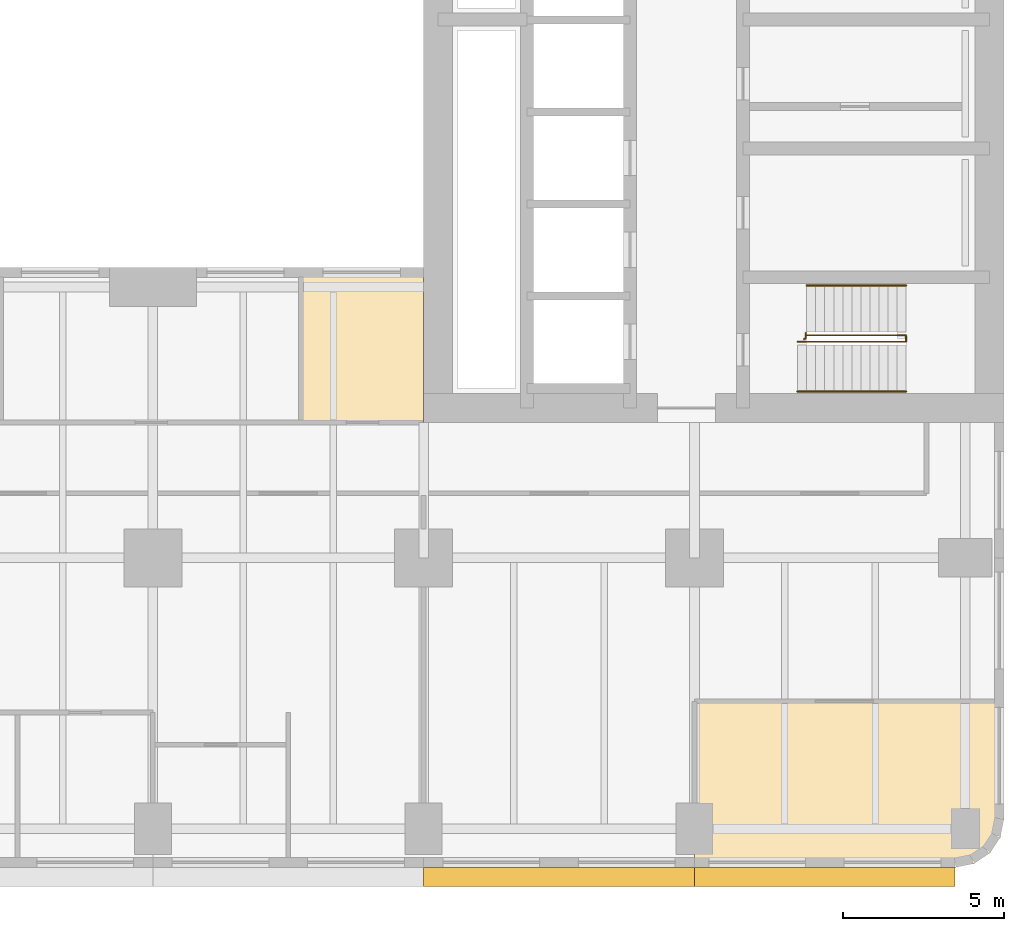
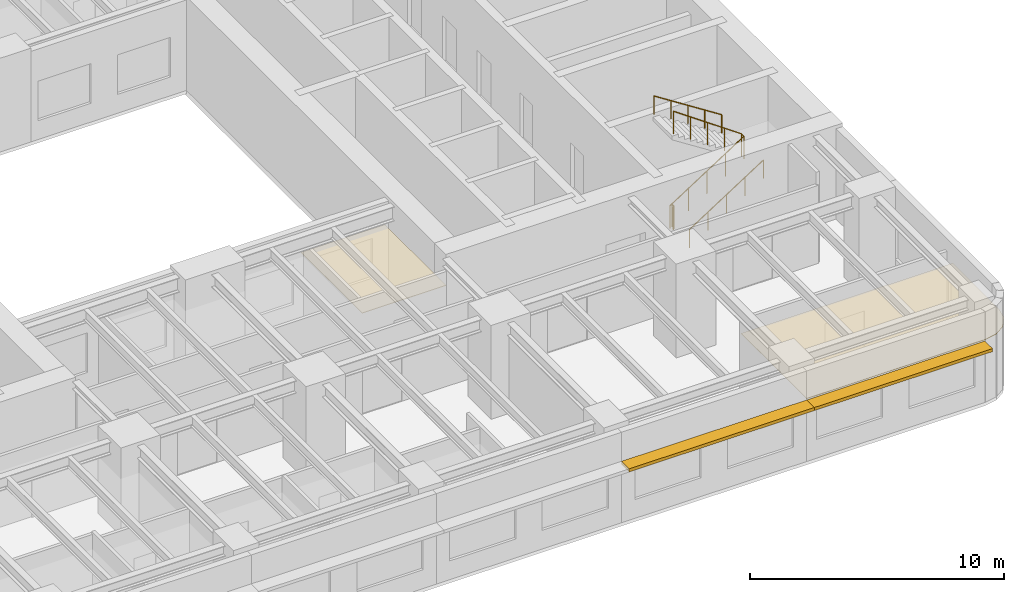
# One storey, part 10 of 12: 4 railings, 2 coverings, 2 shading devices.
"""IFC4 building model written with IfcOpenShell, lengths in metres."""

from ifc_helpers import new_model, si_unit, direction, frame, origin, origin_2d, place, context, subcontext, project, spatial, polyline, rectangle, circle, outline, extrude, material, layer, layer_set, type_object, element, save


model = new_model("IFC4")

# Units and contexts
model_context = context("Model", 3, precision=1e-05, world=origin(), true_north=direction((0.0, 1.0)))
body_context = subcontext(model_context, "Body", "Model", "MODEL_VIEW")
ifc_project = project(units=[si_unit("LENGTHUNIT", "METRE"), si_unit("AREAUNIT", "SQUARE_METRE"), si_unit("VOLUMEUNIT", "CUBIC_METRE"), si_unit("PLANEANGLEUNIT", "RADIAN"), si_unit("MASSUNIT", "GRAM", prefix="KILO")], contexts=[model_context])

# Site, building, storey
site_placement = place(None, origin())
site = spatial("IfcSite", under=ifc_project, at=site_placement, CompositionType="ELEMENT")
building_placement = place(site_placement, origin())
building = spatial("IfcBuilding", under=site, at=building_placement, Name="Claustro Exchange Tower", CompositionType="ELEMENT")
storey_placement = place(building_placement, frame((0.0, 0.0, 81.89990234375)))
storey = spatial("IfcBuildingStorey", under=building, at=storey_placement, Name="L18", CompositionType="ELEMENT", Elevation=81.89990234375)

# Coverings
ifc_material_1 = material(Name="Gypsum board ceiling", Category="gypsum board")
ifc_layer_1 = layer(ifc_material_1, 0.02490234375)
ifc_layer_set_1 = layer_set([ifc_layer_1], Name="Gypsum board ceiling")
covering_type = type_object("IfcCoveringType", Name="CL2 plasterboard ceiling", PredefinedType="CEILING", material=ifc_layer_set_1)
covering_1_placement = place(storey_placement, frame((0.0, 0.0, 3.0)))
element("IfcCovering", 1, at=covering_1_placement, inside=storey, type_object=covering_type, Name="Ceiling CL2 L18-06", PredefinedType="CEILING", context=body_context, shape_type="SweptSolid", body=[
    extrude(outline(polyline([(51.60009765625, 0.300048828125), (51.60009765625, 3.949951171875), (42.0, 3.949951171875), (42.0, -1.199951171875), (50.10009765625, -1.199951171875), (50.674072265625, -1.085693359375), (51.16064453125, -0.7607421875), (51.48583984375, -0.27392578125), (51.60009765625, 0.300048828125)])), origin(), (0.0, 0.0, 1.0), 0.025146484375),
])
covering_2_placement = place(storey_placement, frame((0.0, 0.0, 3.0)))
element("IfcCovering", 2, at=covering_2_placement, inside=storey, type_object=covering_type, Name="Ceiling CL2 L18-14", PredefinedType="CEILING", context=body_context, shape_type="SweptSolid", body=[
    extrude(outline(polyline([(33.60009765625, 17.39990234375), (29.800048828125, 17.39990234375), (29.800048828125, 12.60009765625), (33.60009765625, 12.60009765625), (33.60009765625, 17.39990234375)])), origin(), (0.0, 0.0, 1.0), 0.025146484375),
])

# Railings
ifc_material_2 = material(Name="Steel balustrade, painted", Category="steel")
railing_type_1 = type_object("IfcRailingType", Name="GR2 1100 steel stair guard", PredefinedType="GUARDRAIL", material=ifc_material_2)
railing_1_placement = place(storey_placement, frame((45.199951171875, 15.10009765625, 0.18017578125)))
element("IfcRailing", 3, at=railing_1_placement, inside=storey, type_object=railing_type_1, Name="Stair well guard GR2 stair STEA L18", PredefinedType="GUARDRAIL", context=body_context, shape_type="SweptSolid", body=[
    extrude(circle(Radius=0.02392578125, at=origin_2d()), frame((0.0, 0.0, 1.076171875), z_axis=(0.84119634759, 0.0, 0.540729789082), x_axis=(0.0, 1.0, 0.0)), (0.0, 0.0, 1.0), 3.994384765625),
    extrude(circle(Radius=0.02392578125, at=origin_2d()), frame((3.360107421875, 0.0, 3.23583984375), z_axis=(0.0, 1.0, 0.0), x_axis=(-1.0, 0.0, 0.0)), (0.0, 0.0, 1.0), 0.199951171875),
    extrude(circle(Radius=0.02392578125, at=origin_2d()), frame((3.360107421875, 0.199951171875, 3.23583984375), z_axis=(-0.8187499073, 0.0, 0.574150319426), x_axis=(0.0, -1.0, 0.0)), (0.0, 0.0, 1.0), 3.761962890625),
    extrude(circle(Radius=0.02099609375, at=origin_2d()), origin(), (0.0, 0.0, 1.0), 1.052001953125),
    extrude(circle(Radius=0.02099609375, at=origin_2d()), frame((0.840087890625, 0.0, 0.5400390625)), (0.0, 0.0, 1.0), 1.052001953125),
    extrude(circle(Radius=0.02099609375, at=origin_2d()), frame((1.68017578125, 0.0, 1.080078125)), (0.0, 0.0, 1.0), 1.052001953125),
    extrude(circle(Radius=0.02099609375, at=origin_2d()), frame((2.52001953125, 0.0, 1.619873046875)), (0.0, 0.0, 1.0), 1.052001953125),
    extrude(circle(Radius=0.02099609375, at=origin_2d()), frame((3.360107421875, 0.0, 2.159912109375)), (0.0, 0.0, 1.0), 1.052001953125),
    extrude(circle(Radius=0.02099609375, at=origin_2d()), frame((3.360107421875, 0.199951171875, 2.159912109375)), (0.0, 0.0, 1.0), 1.052001953125),
    extrude(circle(Radius=0.02099609375, at=origin_2d()), frame((2.590087890625, 0.199951171875, 2.699951171875)), (0.0, 0.0, 1.0), 1.052001953125),
    extrude(circle(Radius=0.02099609375, at=origin_2d()), frame((1.820068359375, 0.199951171875, 3.23974609375)), (0.0, 0.0, 1.0), 1.052001953125),
    extrude(circle(Radius=0.02099609375, at=origin_2d()), frame((1.050048828125, 0.199951171875, 3.77978515625)), (0.0, 0.0, 1.0), 1.052001953125),
    extrude(circle(Radius=0.02099609375, at=origin_2d()), frame((0.280029296875, 0.199951171875, 4.31982421875)), (0.0, 0.0, 1.0), 1.052001953125),
])
railing_2_placement = place(storey_placement, frame((45.39990234375, 15.169921875, 0.0)))
element("IfcRailing", 4, at=railing_2_placement, inside=storey, type_object=railing_type_1, Name="Stair guard GR2 STEA L18", PredefinedType="GUARDRAIL", context=body_context, shape_type="SweptSolid", body=[
    extrude(circle(Radius=0.02392578125, at=origin_2d()), frame((0.0, 0.0, 1.076171875), z_axis=(0.0, 1.0, 0.0), x_axis=(-1.0, 0.0, 0.0)), (0.0, 0.0, 1.0), 0.030029296875),
    extrude(circle(Radius=0.02392578125, at=origin_2d()), frame((0.0, 0.030029296875, 1.076171875), z_axis=(1.0, 0.0, 0.0), x_axis=(0.0, 1.0, 0.0)), (0.0, 0.0, 1.0), 0.05517578125),
    extrude(circle(Radius=0.02392578125, at=origin_2d()), frame((0.05517578125, 0.030029296875, 1.076171875), z_axis=(0.0, 1.0, 0.0), x_axis=(-1.0, 0.0, 0.0)), (0.0, 0.0, 1.0), 0.179931640625),
    extrude(circle(Radius=0.02099609375, at=origin_2d()), origin(), (0.0, 0.0, 1.0), 1.052001953125),
    extrude(circle(Radius=0.02099609375, at=origin_2d()), frame((0.0, 0.030029296875, 0.0)), (0.0, 0.0, 1.0), 1.052001953125),
    extrude(circle(Radius=0.02099609375, at=origin_2d()), frame((0.05517578125, 0.030029296875, 0.0)), (0.0, 0.0, 1.0), 1.052001953125),
    extrude(circle(Radius=0.02099609375, at=origin_2d()), frame((0.05517578125, 0.2099609375, 0.0)), (0.0, 0.0, 1.0), 1.052001953125),
])
ifc_material_3 = material(Name="Stainless steel tube", Category="steel")
railing_type_2 = type_object("IfcRailingType", Name="HR1 900 stair handrail", PredefinedType="HANDRAIL", material=ifc_material_3)
railing_3_placement = place(storey_placement, frame((45.199951171875, 13.56005859375, 0.18017578125)))
element("IfcRailing", 5, at=railing_3_placement, inside=storey, type_object=railing_type_2, Name="Handrail HR1 stair STEA L18", PredefinedType="HANDRAIL", context=body_context, shape_type="SweptSolid", body=[
    extrude(circle(Radius=0.02392578125, at=origin_2d()), frame((0.0, 0.0, 0.8759765625), z_axis=(0.84119634759, 0.0, 0.540729789082), x_axis=(0.0, 1.0, 0.0)), (0.0, 0.0, 1.0), 3.994384765625),
    extrude(circle(Radius=0.02099609375, at=origin_2d()), origin(), (0.0, 0.0, 1.0), 0.851806640625),
    extrude(circle(Radius=0.02099609375, at=origin_2d()), frame((0.840087890625, 0.0, 0.5400390625)), (0.0, 0.0, 1.0), 0.851806640625),
    extrude(circle(Radius=0.02099609375, at=origin_2d()), frame((1.68017578125, 0.0, 1.080078125)), (0.0, 0.0, 1.0), 0.851806640625),
    extrude(circle(Radius=0.02099609375, at=origin_2d()), frame((2.52001953125, 0.0, 1.619873046875)), (0.0, 0.0, 1.0), 0.851806640625),
    extrude(circle(Radius=0.02099609375, at=origin_2d()), frame((3.360107421875, 0.0, 2.159912109375)), (0.0, 0.0, 1.0), 0.851806640625),
])
railing_4_placement = place(storey_placement, frame((48.56005859375, 16.840087890625, 2.52001953125)))
element("IfcRailing", 6, at=railing_4_placement, inside=storey, type_object=railing_type_2, Name="Handrail HR1 stair STEA L18", PredefinedType="HANDRAIL", context=body_context, shape_type="SweptSolid", body=[
    extrude(circle(Radius=0.02392578125, at=origin_2d()), frame((0.0, 0.0, 0.8759765625), z_axis=(-0.84118714077, 0.0, 0.540744111576), x_axis=(0.0, -1.0, 0.0)), (0.0, 0.0, 1.0), 3.66162109375),
    extrude(circle(Radius=0.02099609375, at=origin_2d()), origin(), (0.0, 0.0, 1.0), 0.851806640625),
    extrude(circle(Radius=0.02099609375, at=origin_2d()), frame((-0.77001953125, 0.0, 0.4951171875)), (0.0, 0.0, 1.0), 0.851806640625),
    extrude(circle(Radius=0.02099609375, at=origin_2d()), frame((-1.5400390625, 0.0, 0.989990234375)), (0.0, 0.0, 1.0), 0.851806640625),
    extrude(circle(Radius=0.02099609375, at=origin_2d()), frame((-2.31005859375, 0.0, 1.48486328125)), (0.0, 0.0, 1.0), 0.851806640625),
    extrude(circle(Radius=0.02099609375, at=origin_2d()), frame((-3.080078125, 0.0, 1.97998046875)), (0.0, 0.0, 1.0), 0.851806640625),
])

# Shading devices
ifc_material_4 = material(Name="Concrete HA-40 (C40/50), precast, white cement, acid-etched", Category="concrete")
ifc_layer_2 = layer(ifc_material_4, 0.14990234375)
ifc_layer_set_2 = layer_set([ifc_layer_2], Name="Concrete HA-40 (C40/50), precast, white cement, acid-etched")
shading_device_type = type_object("IfcShadingDeviceType", Name="SS1 600 precast concrete SUNSHADE", PredefinedType="SHUTTER", material=ifc_layer_set_2)
shading_device_1_placement = place(storey_placement, frame((46.04248046875, -1.5, 2.800048828125), z_axis=(0.0, 0.0, 1.0), x_axis=(-1.0, 0.0, 0.0)))
element("IfcShadingDevice", 7, at=shading_device_1_placement, inside=storey, type_object=shading_device_type, Name="Precast SUNSHADE SS1 L18", PredefinedType="SHUTTER", context=body_context, shape_type="SweptSolid", body=[
    extrude(rectangle(XDim=8.085205078125, YDim=0.60009765625, at=origin_2d()), origin(), (0.0, 0.0, 1.0), 0.14990234375),
])
shading_device_2_placement = place(storey_placement, frame((37.800048828125, -1.5, 2.800048828125), z_axis=(0.0, 0.0, 1.0), x_axis=(-1.0, 0.0, 0.0)))
element("IfcShadingDevice", 8, at=shading_device_2_placement, inside=storey, type_object=shading_device_type, Name="Precast SUNSHADE SS1 L18", PredefinedType="SHUTTER", context=body_context, shape_type="SweptSolid", body=[
    extrude(rectangle(XDim=8.39990234375, YDim=0.60009765625, at=origin_2d()), origin(), (0.0, 0.0, 1.0), 0.14990234375),
])

save(model, "model.ifc")
